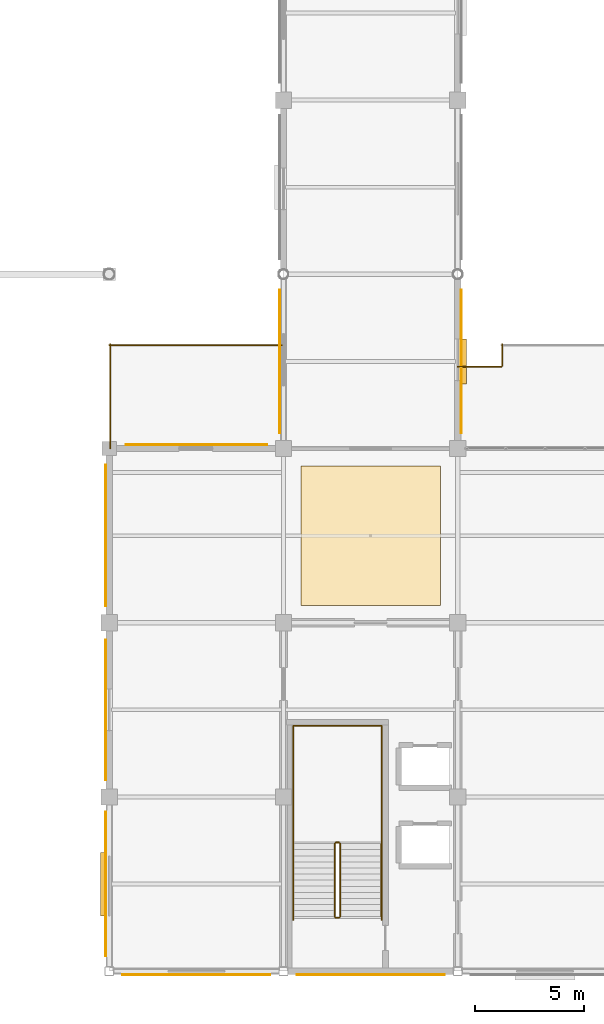
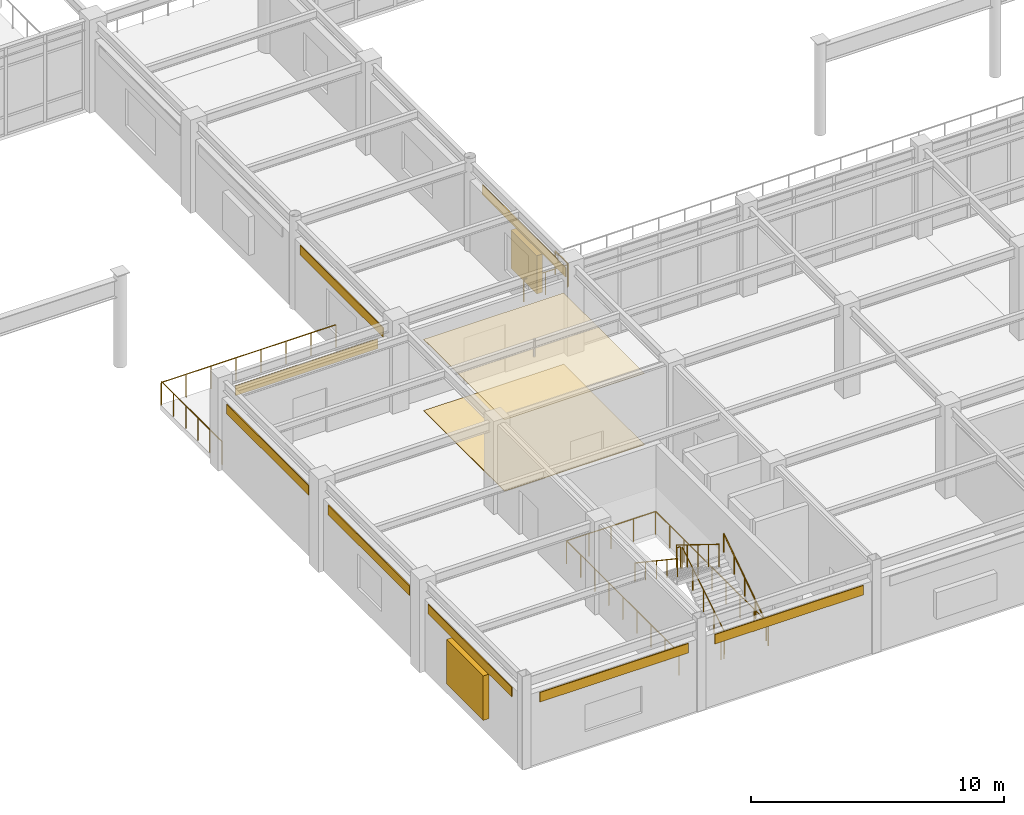
# One storey, part 72 of 78: 13 railings, 10 coverings, 2 shading devices.
"""IFC4 building model written with IfcOpenShell, lengths in metres."""

import ifcopenshell
import ifcopenshell.guid

model = None  # the IFC model being written
_history = None  # IfcOwnerHistory: only IFC2X3 demands one
_inside = {}  # id of a spatial element -> (the spatial element, [elements in it])
_under = {}  # id of a project, library or spatial element -> (it, [spatial elements below it])
_declared = {}  # id of a project -> (the project, [libraries it declares])
_typed = {}  # id of a type object -> (the type object, [elements of that type])
_made_of = {}  # id of a material, layer set ... -> (it, [elements and type objects made of it])


def new_model(schema):
    """Start an empty IFC model of exactly this schema.

    Asked for "IFC4X3", IfcOpenShell would pick the latest addendum, in which some entities
    have other attributes; the version numbers below select the first issue.
    IFC2X3 requires an IfcOwnerHistory on every rooted entity: one is made here for all.
    """
    global model, _history
    if schema == "IFC4X3":
        model = ifcopenshell.file(schema_version=(4, 3, 0, 0))
    else:
        model = ifcopenshell.file(schema=schema)
    _inside.clear()
    _under.clear()
    _declared.clear()
    _typed.clear()
    _made_of.clear()
    _history = None
    if model.schema == "IFC2X3":
        org = make("IfcOrganization", Name="unknown")
        user = make(
            "IfcPersonAndOrganization",
            ThePerson=make("IfcPerson", FamilyName="unknown"),
            TheOrganization=org,
        )
        app = make(
            "IfcApplication",
            ApplicationDeveloper=org,
            Version="unknown",
            ApplicationFullName="unknown",
            ApplicationIdentifier="unknown",
        )
        _history = make(
            "IfcOwnerHistory",
            OwningUser=user,
            OwningApplication=app,
            ChangeAction="ADDED",
            CreationDate=0,
        )
    return model


def make(cls, **values):
    """One entity of the class cls with the attributes given. An attribute that is None is left unset."""
    return model.create_entity(
        cls, **{name: value for name, value in values.items() if value is not None}
    )


def rooted(cls, **values):
    """An entity with a GlobalId (a new one), such as an element, a storey or a relation."""
    return make(cls, GlobalId=ifcopenshell.guid.new(), OwnerHistory=_history, **values)


def si_unit(unit_type, name, prefix=None):
    """IfcSIUnit, for example si_unit("LENGTHUNIT", "METRE", prefix="MILLI")."""
    return make("IfcSIUnit", UnitType=unit_type, Prefix=prefix, Name=name)


def assignment(units):
    """IfcUnitAssignment: the units of a project."""
    return None if units is None else make("IfcUnitAssignment", Units=units)


def point(xyz):
    """IfcCartesianPoint."""
    return None if xyz is None else make("IfcCartesianPoint", Coordinates=xyz)


def direction(xyz):
    """IfcDirection."""
    return None if xyz is None else make("IfcDirection", DirectionRatios=xyz)


def frame(location, z_axis=None, x_axis=None):
    """IfcAxis2Placement3D, a coordinate frame: its origin and axes. An axis left out is left unset."""
    return make(
        "IfcAxis2Placement3D",
        Location=point(location),
        Axis=direction(z_axis),
        RefDirection=direction(x_axis),
    )


def frame_2d(location, x_axis=None):
    """IfcAxis2Placement2D, a coordinate frame in the plane: its origin and x axis."""
    return make(
        "IfcAxis2Placement2D", Location=point(location), RefDirection=direction(x_axis)
    )


def origin():
    """The frame at (0, 0, 0) with its axes left unset."""
    return frame((0.0, 0.0, 0.0))


def origin_2d():
    """The frame at (0, 0) in the plane with its x axis left unset."""
    return frame_2d((0.0, 0.0))


def place(relative_to, where):
    """IfcLocalPlacement: puts the frame where relative to a parent placement (None: the world)."""
    return make(
        "IfcLocalPlacement", PlacementRelTo=relative_to, RelativePlacement=where
    )


def context(
    kind, dimensions, precision=None, world=None, true_north=None, identifier=None
):
    """IfcGeometricRepresentationContext, for example the 3D "Model" context."""
    return make(
        "IfcGeometricRepresentationContext",
        ContextIdentifier=identifier,
        ContextType=kind,
        CoordinateSpaceDimension=dimensions,
        Precision=precision,
        WorldCoordinateSystem=world,
        TrueNorth=true_north,
    )


def subcontext(parent, identifier, kind, view, scale=None):
    """IfcGeometricRepresentationSubContext, for example "Body" below "Model"."""
    return make(
        "IfcGeometricRepresentationSubContext",
        ContextIdentifier=identifier,
        ContextType=kind,
        ParentContext=parent,
        TargetScale=scale,
        TargetView=view,
    )


def project(units=None, contexts=None):
    """IfcProject with its units and contexts."""
    return rooted(
        "IfcProject",
        Name="project",
        RepresentationContexts=contexts,
        UnitsInContext=assignment(units),
    )


def spatial(cls, under=None, at=None, **own):
    """A site, building, storey or space (cls), placed at a placement, below another one or the project."""
    s = rooted(cls, ObjectPlacement=at, **own)
    if under is not None:
        _under.setdefault(under.id(), (under, []))[1].append(s)
    return s


def polyline(points):
    """IfcPolyline through the points."""
    return make("IfcPolyline", Points=[point(p) for p in points])


def profile(cls, at=None, kind="AREA", **sizes):
    """A parametric profile (cls). Its sizes go by their IFC names, for example OverallWidth=200.0."""
    return make(cls, ProfileType=kind, Position=at, **sizes)


def rectangle(**sizes):
    """IfcRectangleProfileDef."""
    return profile("IfcRectangleProfileDef", **sizes)


def circle(**sizes):
    """IfcCircleProfileDef."""
    return profile("IfcCircleProfileDef", **sizes)


def outline(outer, holes=None, kind="AREA"):
    """IfcArbitraryClosedProfileDef: a profile drawn as a closed curve; with holes, ...WithVoids."""
    if holes is None:
        return make("IfcArbitraryClosedProfileDef", ProfileType=kind, OuterCurve=outer)
    return make(
        "IfcArbitraryProfileDefWithVoids",
        ProfileType=kind,
        OuterCurve=outer,
        InnerCurves=holes,
    )


def extrude(swept, where, along, depth):
    """IfcExtrudedAreaSolid: the profile swept, set in the frame where, extruded along a direction by depth."""
    return make(
        "IfcExtrudedAreaSolid",
        SweptArea=swept,
        Position=where,
        ExtrudedDirection=direction(along),
        Depth=depth,
    )


def shape(context_of_items, identifier, shape_type, items):
    """IfcShapeRepresentation: the items that make up one representation, for example the "Body"."""
    return make(
        "IfcShapeRepresentation",
        ContextOfItems=context_of_items,
        RepresentationIdentifier=identifier,
        RepresentationType=shape_type,
        Items=items,
    )


def material(Name=None, Category=None):
    """IfcMaterial."""
    return make("IfcMaterial", Name=Name, Category=Category)


def layer(
    of_material, thickness, ventilated=None, Name=None, Category=None, Priority=None
):
    """IfcMaterialLayer: one layer of a wall or slab, of a material (None: an air gap)."""
    return make(
        "IfcMaterialLayer",
        Material=of_material,
        LayerThickness=thickness,
        IsVentilated=ventilated,
        Name=Name,
        Category=Category,
        Priority=Priority,
    )


def layer_set(layers, Name=None):
    """IfcMaterialLayerSet."""
    return make("IfcMaterialLayerSet", MaterialLayers=layers, LayerSetName=Name)


def made_of(thing, what):
    """Note that an element or type object is made of a material, layer set ...; save() writes the relation."""
    if what is not None:
        _made_of.setdefault(what.id(), (what, []))[1].append(thing)
    return thing


def type_object(cls, material=None, **own):
    """A type object (cls), such as IfcWallType, which elements share."""
    return made_of(rooted(cls, **own), material)


def element(
    cls,
    number,
    at=None,
    inside=None,
    cuts=None,
    type_object=None,
    material=None,
    context=None,
    identifier="Body",
    shape_type=None,
    held_by="IfcProductDefinitionShape",
    body=None,
    shapes=None,
    **own,
):
    """One element of the class cls, such as IfcWall. Its Tag is "e" and its number.

    at: its placement. inside: the storey or other place that contains it. cuts: it is an
    opening in that element (IfcRelVoidsElement). A single representation is given by context,
    identifier, shape_type and body (its items); several are given by shapes. held_by: the class
    of the entity that holds the representations. save() writes the other relations.
    """
    e = rooted(cls, Tag="e%d" % number, ObjectPlacement=at, **own)
    if body is not None:
        shapes = [shape(context, identifier, shape_type, body)]
    if shapes is not None:
        e.Representation = make(held_by, Representations=shapes)
    if inside is not None:
        _inside.setdefault(inside.id(), (inside, []))[1].append(e)
    if cuts is not None:
        rooted(
            "IfcRelVoidsElement", RelatingBuildingElement=cuts, RelatedOpeningElement=e
        )
    if type_object is not None:
        _typed.setdefault(type_object.id(), (type_object, []))[1].append(e)
    return made_of(e, material)


def aggregate(whole, parts):
    """IfcRelAggregates: a whole, such as a stair, and the parts it consists of."""
    return rooted("IfcRelAggregates", RelatingObject=whole, RelatedObjects=parts)


def save(model, path):
    """Write the relations noted so far, then the file.

    IfcRelAggregates (storeys below a building ...), IfcRelContainedInSpatialStructure (elements
    in a storey), IfcRelDefinesByType, IfcRelAssociatesMaterial and IfcRelDeclares: one each for
    every whole, place, type object, material and project.
    """
    for whole, parts in _under.values():
        aggregate(whole, parts)
    for where, things in _inside.values():
        rooted(
            "IfcRelContainedInSpatialStructure",
            RelatedElements=things,
            RelatingStructure=where,
        )
    for kind, things in _typed.values():
        rooted("IfcRelDefinesByType", RelatedObjects=things, RelatingType=kind)
    for what, things in _made_of.values():
        rooted("IfcRelAssociatesMaterial", RelatedObjects=things, RelatingMaterial=what)
    for by, libraries in _declared.values():
        rooted("IfcRelDeclares", RelatingContext=by, RelatedDefinitions=libraries)
    model.write(path)


model = new_model("IFC4")

# Units and contexts
model_context = context("Model", 3, precision=1e-05, world=origin(), true_north=direction((0.0, 1.0)))
body_context = subcontext(model_context, "Body", "Model", "MODEL_VIEW")
ifc_project = project(units=[si_unit("LENGTHUNIT", "METRE"), si_unit("AREAUNIT", "SQUARE_METRE"), si_unit("VOLUMEUNIT", "CUBIC_METRE"), si_unit("PLANEANGLEUNIT", "RADIAN"), si_unit("MASSUNIT", "GRAM", prefix="KILO")], contexts=[model_context])

# Site, building, storey
site_placement = place(None, origin())
site = spatial("IfcSite", under=ifc_project, at=site_placement, CompositionType="ELEMENT")
building_placement = place(site_placement, origin())
building = spatial("IfcBuilding", under=site, at=building_placement, Name="Solmirada Galleria", CompositionType="ELEMENT")
storey_placement = place(building_placement, frame((0.0, 0.0, 23.89990234375)))
storey = spatial("IfcBuildingStorey", under=building, at=storey_placement, Name="L05", CompositionType="ELEMENT", Elevation=23.89990234375)

# Coverings
ifc_material_1 = material(Name="Perforated acoustic mineral-fibre ceiling")
ifc_layer_1 = layer(ifc_material_1, 0.02490234375)
ifc_layer_set_1 = layer_set([ifc_layer_1], Name="Perforated acoustic mineral-fibre ceiling")
covering_type_1 = type_object("IfcCoveringType", Name="COV-CEIL-ACOUST", PredefinedType="CEILING", material=ifc_layer_set_1)
covering_1_placement = place(storey_placement, frame((0.0, 0.0, 3.4501953125)))
element("IfcCovering", 1, at=covering_1_placement, inside=storey, type_object=covering_type_1, Name="Acoustic ceiling panel L05-2", PredefinedType="CEILING", context=body_context, shape_type="SweptSolid", body=[
    extrude(outline(polyline([(88.800048828125, 16.800048828125), (95.199951171875, 16.800048828125), (95.199951171875, 23.199951171875), (88.800048828125, 23.199951171875), (88.800048828125, 16.800048828125)])), origin(), (0.0, 0.0, 1.0), 0.02490234375),
])
ifc_material_2 = material(Name="Limestone cladding panels", Category="masonry")
ifc_layer_2 = layer(ifc_material_2, 0.044921875)
ifc_layer_set_2 = layer_set([ifc_layer_2], Name="Limestone cladding panels")
covering_type_2 = type_object("IfcCoveringType", Name="COV-CLAD-LIME", PredefinedType="CLADDING", material=ifc_layer_set_2)
covering_2_placement = place(storey_placement, frame((84.0, -0.16748046875, 2.990234375), z_axis=(0.0, 0.0, 1.0), x_axis=(-1.0, 0.0, 0.0)))
element("IfcCovering", 2, at=covering_2_placement, inside=storey, type_object=covering_type_2, Name="Postmodern facade cladding L05-348", PredefinedType="CLADDING", context=body_context, shape_type="SweptSolid", body=[
    extrude(rectangle(XDim=6.7939453125, YDim=0.044921875, at=origin_2d()), origin(), (0.0, 0.0, 1.0), 0.4599609375),
])
covering_3_placement = place(storey_placement, frame((79.83251953125, 12.0, 2.990234375), z_axis=(0.0, 0.0, 1.0), x_axis=(0.0, 1.0, 0.0)))
element("IfcCovering", 3, at=covering_3_placement, inside=storey, type_object=covering_type_2, Name="Postmodern facade cladding L05-350", PredefinedType="CLADDING", context=body_context, shape_type="SweptSolid", body=[
    extrude(rectangle(XDim=6.449951171875, YDim=0.044921875, at=origin_2d()), origin(), (0.0, 0.0, 1.0), 0.4599609375),
])
covering_4_placement = place(storey_placement, frame((84.0, 24.16748046875, 2.990234375), z_axis=(0.0, 0.0, 1.0), x_axis=(1.0, 0.0, 0.0)))
element("IfcCovering", 4, at=covering_4_placement, inside=storey, type_object=covering_type_2, Name="Postmodern facade cladding L05-352", PredefinedType="CLADDING", context=body_context, shape_type="SweptSolid", body=[
    extrude(rectangle(XDim=6.5, YDim=0.044921875, at=origin_2d()), origin(), (0.0, 0.0, 1.0), 0.4599609375),
])
ifc_material_3 = material(Name="Glazed terracotta facade panels", Category="masonry")
ifc_layer_3 = layer(ifc_material_3, 0.0400390625)
ifc_layer_set_3 = layer_set([ifc_layer_3], Name="Glazed terracotta facade panels")
covering_type_3 = type_object("IfcCoveringType", Name="COV-CLAD-TERRA", PredefinedType="CLADDING", material=ifc_layer_set_3)
for number, where, z_axis, x_axis, name in (
    (5, (87.8349609375, 28.0, 2.990234375), (0.0, 0.0, 1.0), (0.0, 1.0, 0.0), "Postmodern facade cladding L05-309"),
    (6, (96.1650390625, 28.0, 2.990234375), (0.0, 0.0, 1.0), (0.0, -1.0, 0.0), "Postmodern facade cladding L05-337"),
):
    element("IfcCovering", number, at=place(storey_placement, frame(where, z_axis=z_axis, x_axis=x_axis)), inside=storey, type_object=covering_type_3, Name=name, PredefinedType="CLADDING", context=body_context, shape_type="SweptSolid", body=[
        extrude(rectangle(XDim=6.596435546875, YDim=0.0400390625, at=origin_2d()), origin(), (0.0, 0.0, 1.0), 0.4599609375),
    ])
covering_5_placement = place(storey_placement, frame((92.0, -0.1650390625, 2.990234375), z_axis=(0.0, 0.0, 1.0), x_axis=(-1.0, 0.0, 0.0)))
element("IfcCovering", 7, at=covering_5_placement, inside=storey, type_object=covering_type_3, Name="Postmodern facade cladding L05-347", PredefinedType="CLADDING", context=body_context, shape_type="SweptSolid", body=[
    extrude(rectangle(XDim=6.7939453125, YDim=0.0400390625, at=origin_2d()), origin(), (0.0, 0.0, 1.0), 0.4599609375),
])
covering_6_placement = place(storey_placement, frame((79.8349609375, 4.0, 2.990234375), z_axis=(0.0, 0.0, 1.0), x_axis=(0.0, 1.0, 0.0)))
element("IfcCovering", 8, at=covering_6_placement, inside=storey, type_object=covering_type_3, Name="Postmodern facade cladding L05-349", PredefinedType="CLADDING", context=body_context, shape_type="SweptSolid", body=[
    extrude(rectangle(XDim=6.6220703125, YDim=0.0400390625, at=origin_2d()), origin(), (0.0, 0.0, 1.0), 0.4599609375),
])
covering_7_placement = place(storey_placement, frame((79.8349609375, 20.0, 2.990234375), z_axis=(0.0, 0.0, 1.0), x_axis=(0.0, 1.0, 0.0)))
element("IfcCovering", 9, at=covering_7_placement, inside=storey, type_object=covering_type_3, Name="Postmodern facade cladding L05-351", PredefinedType="CLADDING", context=body_context, shape_type="SweptSolid", body=[
    extrude(rectangle(XDim=6.5, YDim=0.0400390625, at=origin_2d()), origin(), (0.0, 0.0, 1.0), 0.4599609375),
])
ifc_material_4 = material(Name="Polished terrazzo and porcelain tile flooring")
ifc_layer_4 = layer(ifc_material_4, 0.030029296875)
ifc_layer_set_4 = layer_set([ifc_layer_4], Name="Polished terrazzo and porcelain tile flooring")
covering_type_4 = type_object("IfcCoveringType", Name="COV-FLOOR-TERRAZ", PredefinedType="FLOORING", material=ifc_layer_set_4)
covering_8_placement = place(storey_placement, origin())
element("IfcCovering", 10, at=covering_8_placement, inside=storey, type_object=covering_type_4, Name="Terrazzo floor finish L05-2", PredefinedType="FLOORING", context=body_context, shape_type="SweptSolid", body=[
    extrude(outline(polyline([(88.800048828125, 16.800048828125), (95.199951171875, 16.800048828125), (95.199951171875, 23.199951171875), (88.800048828125, 23.199951171875), (88.800048828125, 16.800048828125)])), origin(), (0.0, 0.0, 1.0), 0.030029296875),
])

# Railings
ifc_material_5 = material(Name="Painted steel tubular railing", Category="steel")
railing_type_1 = type_object("IfcRailingType", Name="RAIL-STAIR-GUARD", PredefinedType="GUARDRAIL", material=ifc_material_5)
railing_1_placement = place(storey_placement, frame((90.60009765625, 2.5, 0.173095703125)))
element("IfcRailing", 11, at=railing_1_placement, inside=storey, type_object=railing_type_1, Name="L05 ST2 stair guard 1", PredefinedType="GUARDRAIL", context=body_context, shape_type="SweptSolid", body=[
    extrude(circle(Radius=0.02392578125, at=origin_2d()), frame((0.0, 0.0, 1.076171875), z_axis=(0.0, 0.850623216509, 0.525775754039), x_axis=(-1.0, 0.0, 0.0)), (0.0, 0.0, 1.0), 3.9501953125),
    extrude(circle(Radius=0.02099609375, at=origin_2d()), origin(), (0.0, 0.0, 1.0), 1.048095703125),
    extrude(circle(Radius=0.02099609375, at=origin_2d()), frame((0.0, 0.840087890625, 0.519287109375)), (0.0, 0.0, 1.0), 1.048095703125),
    extrude(circle(Radius=0.02099609375, at=origin_2d()), frame((0.0, 1.68017578125, 1.03857421875)), (0.0, 0.0, 1.0), 1.048095703125),
    extrude(circle(Radius=0.02099609375, at=origin_2d()), frame((0.0, 2.52001953125, 1.5576171875)), (0.0, 0.0, 1.0), 1.048095703125),
    extrude(circle(Radius=0.02099609375, at=origin_2d()), frame((0.0, 3.360107421875, 2.076904296875)), (0.0, 0.0, 1.0), 1.048095703125),
])
railing_2_placement = place(storey_placement, frame((90.550048828125, 5.909912109375, 2.25)))
element("IfcRailing", 12, at=railing_2_placement, inside=storey, type_object=railing_type_1, Name="L05 ST2 stair guard 2", PredefinedType="GUARDRAIL", context=body_context, shape_type="SweptSolid", body=[
    extrude(circle(Radius=0.02392578125, at=origin_2d()), frame((0.0, 0.0, 1.076171875), z_axis=(-1.0, 0.0, 0.0), x_axis=(0.0, -1.0, 0.0)), (0.0, 0.0, 1.0), 0.150146484375),
    extrude(circle(Radius=0.02099609375, at=origin_2d()), origin(), (0.0, 0.0, 1.0), 1.048095703125),
    extrude(circle(Radius=0.02099609375, at=origin_2d()), frame((-0.150146484375, 0.0, 0.0)), (0.0, 0.0, 1.0), 1.048095703125),
])
railing_3_placement = place(storey_placement, frame((90.35009765625, 5.860107421875, 2.423095703125)))
element("IfcRailing", 13, at=railing_3_placement, inside=storey, type_object=railing_type_1, Name="L05 ST2 stair guard 3", PredefinedType="GUARDRAIL", context=body_context, shape_type="SweptSolid", body=[
    extrude(circle(Radius=0.02392578125, at=origin_2d()), frame((0.0, 0.0, 1.076171875), z_axis=(0.0, -0.850623216509, 0.525775754039), x_axis=(1.0, 0.0, 0.0)), (0.0, 0.0, 1.0), 3.9501953125),
    extrude(circle(Radius=0.02099609375, at=origin_2d()), origin(), (0.0, 0.0, 1.0), 1.048095703125),
    extrude(circle(Radius=0.02099609375, at=origin_2d()), frame((0.0, -0.840087890625, 0.519287109375)), (0.0, 0.0, 1.0), 1.048095703125),
    extrude(circle(Radius=0.02099609375, at=origin_2d()), frame((0.0, -1.68017578125, 1.03857421875)), (0.0, 0.0, 1.0), 1.048095703125),
    extrude(circle(Radius=0.02099609375, at=origin_2d()), frame((0.0, -2.52001953125, 1.5576171875)), (0.0, 0.0, 1.0), 1.048095703125),
    extrude(circle(Radius=0.02099609375, at=origin_2d()), frame((0.0, -3.360107421875, 2.076904296875)), (0.0, 0.0, 1.0), 1.048095703125),
])
railing_4_placement = place(storey_placement, frame((90.550048828125, 2.449951171875, 0.0)))
element("IfcRailing", 14, at=railing_4_placement, inside=storey, type_object=railing_type_1, Name="L05 ST2 stair guard 4", PredefinedType="GUARDRAIL", context=body_context, shape_type="SweptSolid", body=[
    extrude(circle(Radius=0.02392578125, at=origin_2d()), frame((0.0, 0.0, 1.076171875), z_axis=(-1.0, 0.0, 0.0), x_axis=(0.0, -1.0, 0.0)), (0.0, 0.0, 1.0), 0.150146484375),
    extrude(circle(Radius=0.02099609375, at=origin_2d()), origin(), (0.0, 0.0, 1.0), 1.048095703125),
    extrude(circle(Radius=0.02099609375, at=origin_2d()), frame((-0.150146484375, 0.0, 0.0)), (0.0, 0.0, 1.0), 1.048095703125),
])
railing_5_placement = place(storey_placement, frame((88.43994140625, 2.35009765625, 0.0)))
element("IfcRailing", 15, at=railing_5_placement, inside=storey, type_object=railing_type_1, Name="Stair ST2 well edge guard L05-1", PredefinedType="GUARDRAIL", context=body_context, shape_type="SweptSolid", body=[
    extrude(circle(Radius=0.02392578125, at=origin_2d()), frame((0.0, 0.0, 1.09619140625), z_axis=(0.0, 1.0, 0.0), x_axis=(-1.0, 0.0, 0.0)), (0.0, 0.0, 1.0), 8.909912109375),
    extrude(circle(Radius=0.02099609375, at=origin_2d()), origin(), (0.0, 0.0, 1.0), 1.068115234375),
    extrude(circle(Radius=0.02099609375, at=origin_2d()), frame((0.0, 1.11376953125, 0.0)), (0.0, 0.0, 1.0), 1.068115234375),
    extrude(circle(Radius=0.02099609375, at=origin_2d()), frame((0.0, 2.2275390625, 0.0)), (0.0, 0.0, 1.0), 1.068115234375),
    extrude(circle(Radius=0.02099609375, at=origin_2d()), frame((0.0, 3.34130859375, 0.0)), (0.0, 0.0, 1.0), 1.068115234375),
    extrude(circle(Radius=0.02099609375, at=origin_2d()), frame((0.0, 4.455078125, 0.0)), (0.0, 0.0, 1.0), 1.068115234375),
    extrude(circle(Radius=0.02099609375, at=origin_2d()), frame((0.0, 5.568603515625, 0.0)), (0.0, 0.0, 1.0), 1.068115234375),
    extrude(circle(Radius=0.02099609375, at=origin_2d()), frame((0.0, 6.682373046875, 0.0)), (0.0, 0.0, 1.0), 1.068115234375),
    extrude(circle(Radius=0.02099609375, at=origin_2d()), frame((0.0, 7.796142578125, 0.0)), (0.0, 0.0, 1.0), 1.068115234375),
    extrude(circle(Radius=0.02099609375, at=origin_2d()), frame((0.0, 8.909912109375, 0.0)), (0.0, 0.0, 1.0), 1.068115234375),
])
railing_6_placement = place(storey_placement, frame((88.43994140625, 11.260009765625, 0.0)))
element("IfcRailing", 16, at=railing_6_placement, inside=storey, type_object=railing_type_1, Name="Stair ST2 well edge guard L05-2", PredefinedType="GUARDRAIL", context=body_context, shape_type="SweptSolid", body=[
    extrude(circle(Radius=0.02392578125, at=origin_2d()), frame((0.0, 0.0, 1.09619140625), z_axis=(1.0, 0.0, 0.0), x_axis=(0.0, 1.0, 0.0)), (0.0, 0.0, 1.0), 4.070068359375),
    extrude(circle(Radius=0.02099609375, at=origin_2d()), origin(), (0.0, 0.0, 1.0), 1.068115234375),
    extrude(circle(Radius=0.02099609375, at=origin_2d()), frame((1.017578125, 0.0, 0.0)), (0.0, 0.0, 1.0), 1.068115234375),
    extrude(circle(Radius=0.02099609375, at=origin_2d()), frame((2.03515625, 0.0, 0.0)), (0.0, 0.0, 1.0), 1.068115234375),
    extrude(circle(Radius=0.02099609375, at=origin_2d()), frame((3.052490234375, 0.0, 0.0)), (0.0, 0.0, 1.0), 1.068115234375),
    extrude(circle(Radius=0.02099609375, at=origin_2d()), frame((4.070068359375, 0.0, 0.0)), (0.0, 0.0, 1.0), 1.068115234375),
])
railing_7_placement = place(storey_placement, frame((92.510009765625, 11.260009765625, 0.0)))
element("IfcRailing", 17, at=railing_7_placement, inside=storey, type_object=railing_type_1, Name="Stair ST2 well edge guard L05-3", PredefinedType="GUARDRAIL", context=body_context, shape_type="SweptSolid", body=[
    extrude(circle(Radius=0.02392578125, at=origin_2d()), frame((0.0, 0.0, 1.09619140625), z_axis=(0.0, -1.0, 0.0), x_axis=(1.0, 0.0, 0.0)), (0.0, 0.0, 1.0), 8.909912109375),
    extrude(circle(Radius=0.02099609375, at=origin_2d()), origin(), (0.0, 0.0, 1.0), 1.068115234375),
    extrude(circle(Radius=0.02099609375, at=origin_2d()), frame((0.0, -1.11376953125, 0.0)), (0.0, 0.0, 1.0), 1.068115234375),
    extrude(circle(Radius=0.02099609375, at=origin_2d()), frame((0.0, -2.2275390625, 0.0)), (0.0, 0.0, 1.0), 1.068115234375),
    extrude(circle(Radius=0.02099609375, at=origin_2d()), frame((0.0, -3.34130859375, 0.0)), (0.0, 0.0, 1.0), 1.068115234375),
    extrude(circle(Radius=0.02099609375, at=origin_2d()), frame((0.0, -4.455078125, 0.0)), (0.0, 0.0, 1.0), 1.068115234375),
    extrude(circle(Radius=0.02099609375, at=origin_2d()), frame((0.0, -5.568603515625, 0.0)), (0.0, 0.0, 1.0), 1.068115234375),
    extrude(circle(Radius=0.02099609375, at=origin_2d()), frame((0.0, -6.682373046875, 0.0)), (0.0, 0.0, 1.0), 1.068115234375),
    extrude(circle(Radius=0.02099609375, at=origin_2d()), frame((0.0, -7.796142578125, 0.0)), (0.0, 0.0, 1.0), 1.068115234375),
    extrude(circle(Radius=0.02099609375, at=origin_2d()), frame((0.0, -8.909912109375, 0.0)), (0.0, 0.0, 1.0), 1.068115234375),
])
railing_type_2 = type_object("IfcRailingType", Name="RAIL-STAIR-HAND", PredefinedType="HANDRAIL", material=ifc_material_5)
railing_8_placement = place(storey_placement, frame((92.5, 2.5, 0.173095703125)))
element("IfcRailing", 18, at=railing_8_placement, inside=storey, type_object=railing_type_2, Name="L05 ST2 stair handrail 1", PredefinedType="HANDRAIL", context=body_context, shape_type="SweptSolid", body=[
    extrude(circle(Radius=0.02392578125, at=origin_2d()), frame((0.0, 0.0, 0.8759765625), z_axis=(0.0, 0.830915400975, 0.556398774641), x_axis=(-1.0, 0.0, 0.0)), (0.0, 0.0, 1.0), 4.0439453125),
    extrude(circle(Radius=0.02099609375, at=origin_2d()), origin(), (0.0, 0.0, 1.0), 0.847900390625),
    extrude(circle(Radius=0.02099609375, at=origin_2d()), frame((0.0, 0.840087890625, 0.5625)), (0.0, 0.0, 1.0), 0.847900390625),
    extrude(circle(Radius=0.02099609375, at=origin_2d()), frame((0.0, 1.68017578125, 1.125)), (0.0, 0.0, 1.0), 0.847900390625),
    extrude(circle(Radius=0.02099609375, at=origin_2d()), frame((0.0, 2.52001953125, 1.6875)), (0.0, 0.0, 1.0), 0.847900390625),
    extrude(circle(Radius=0.02099609375, at=origin_2d()), frame((0.0, 3.360107421875, 2.25)), (0.0, 0.0, 1.0), 0.847900390625),
])
railing_9_placement = place(storey_placement, frame((88.449951171875, 5.860107421875, 2.423095703125)))
element("IfcRailing", 19, at=railing_9_placement, inside=storey, type_object=railing_type_2, Name="L05 ST2 stair handrail 2", PredefinedType="HANDRAIL", context=body_context, shape_type="SweptSolid", body=[
    extrude(circle(Radius=0.02392578125, at=origin_2d()), frame((0.0, 0.0, 0.8759765625), z_axis=(0.0, -0.830915400975, 0.556398774641), x_axis=(1.0, 0.0, 0.0)), (0.0, 0.0, 1.0), 4.0439453125),
    extrude(circle(Radius=0.02099609375, at=origin_2d()), origin(), (0.0, 0.0, 1.0), 0.847900390625),
    extrude(circle(Radius=0.02099609375, at=origin_2d()), frame((0.0, -0.840087890625, 0.5625)), (0.0, 0.0, 1.0), 0.847900390625),
    extrude(circle(Radius=0.02099609375, at=origin_2d()), frame((0.0, -1.68017578125, 1.125)), (0.0, 0.0, 1.0), 0.847900390625),
    extrude(circle(Radius=0.02099609375, at=origin_2d()), frame((0.0, -2.52001953125, 1.6875)), (0.0, 0.0, 1.0), 0.847900390625),
    extrude(circle(Radius=0.02099609375, at=origin_2d()), frame((0.0, -3.360107421875, 2.25)), (0.0, 0.0, 1.0), 0.847900390625),
])
ifc_material_6 = material(Name="Painted galvanized steel balustrade", Category="steel")
railing_type_3 = type_object("IfcRailingType", Name="RAIL-TERR-1100", PredefinedType="GUARDRAIL", material=ifc_material_6)
railing_10_placement = place(storey_placement, frame((88.0, 28.75, 0.0)))
element("IfcRailing", 20, at=railing_10_placement, inside=storey, type_object=railing_type_3, Name="Terrace guardrail L05-TERR-SW E3.1", PredefinedType="GUARDRAIL", context=body_context, shape_type="SweptSolid", body=[
    extrude(circle(Radius=0.02392578125, at=origin_2d()), frame((0.0, 0.0, 1.09619140625), z_axis=(-1.0, 0.0, 0.0), x_axis=(0.0, -1.0, 0.0)), (0.0, 0.0, 1.0), 8.0),
    extrude(circle(Radius=0.02099609375, at=origin_2d()), origin(), (0.0, 0.0, 1.0), 1.068115234375),
    extrude(circle(Radius=0.02099609375, at=origin_2d()), frame((-1.142822265625, 0.0, 0.0)), (0.0, 0.0, 1.0), 1.068115234375),
    extrude(circle(Radius=0.02099609375, at=origin_2d()), frame((-2.28564453125, 0.0, 0.0)), (0.0, 0.0, 1.0), 1.068115234375),
    extrude(circle(Radius=0.02099609375, at=origin_2d()), frame((-3.428466796875, 0.0, 0.0)), (0.0, 0.0, 1.0), 1.068115234375),
    extrude(circle(Radius=0.02099609375, at=origin_2d()), frame((-4.571533203125, 0.0, 0.0)), (0.0, 0.0, 1.0), 1.068115234375),
    extrude(circle(Radius=0.02099609375, at=origin_2d()), frame((-5.71435546875, 0.0, 0.0)), (0.0, 0.0, 1.0), 1.068115234375),
    extrude(circle(Radius=0.02099609375, at=origin_2d()), frame((-6.857177734375, 0.0, 0.0)), (0.0, 0.0, 1.0), 1.068115234375),
    extrude(circle(Radius=0.02099609375, at=origin_2d()), frame((-8.0, 0.0, 0.0)), (0.0, 0.0, 1.0), 1.068115234375),
])
railing_11_placement = place(storey_placement, frame((80.050048828125, 28.800048828125, 0.0)))
element("IfcRailing", 21, at=railing_11_placement, inside=storey, type_object=railing_type_3, Name="Terrace guardrail L05-TERR-SW E4.1", PredefinedType="GUARDRAIL", context=body_context, shape_type="SweptSolid", body=[
    extrude(circle(Radius=0.02392578125, at=origin_2d()), frame((0.0, 0.0, 1.09619140625), z_axis=(0.0, -1.0, 0.0), x_axis=(1.0, 0.0, 0.0)), (0.0, 0.0, 1.0), 4.800048828125),
    extrude(circle(Radius=0.02099609375, at=origin_2d()), origin(), (0.0, 0.0, 1.0), 1.068115234375),
    extrude(circle(Radius=0.02099609375, at=origin_2d()), frame((0.0, -0.9599609375, 0.0)), (0.0, 0.0, 1.0), 1.068115234375),
    extrude(circle(Radius=0.02099609375, at=origin_2d()), frame((0.0, -1.919921875, 0.0)), (0.0, 0.0, 1.0), 1.068115234375),
    extrude(circle(Radius=0.02099609375, at=origin_2d()), frame((0.0, -2.880126953125, 0.0)), (0.0, 0.0, 1.0), 1.068115234375),
    extrude(circle(Radius=0.02099609375, at=origin_2d()), frame((0.0, -3.840087890625, 0.0)), (0.0, 0.0, 1.0), 1.068115234375),
    extrude(circle(Radius=0.02099609375, at=origin_2d()), frame((0.0, -4.800048828125, 0.0)), (0.0, 0.0, 1.0), 1.068115234375),
])
railing_12_placement = place(storey_placement, frame((98.050048828125, 28.800048828125, 0.0)))
element("IfcRailing", 22, at=railing_12_placement, inside=storey, type_object=railing_type_3, Name="Terrace guardrail L05-TERR-SE E6.1", PredefinedType="GUARDRAIL", context=body_context, shape_type="SweptSolid", body=[
    extrude(circle(Radius=0.02392578125, at=origin_2d()), frame((0.0, 0.0, 1.09619140625), z_axis=(0.0, -1.0, 0.0), x_axis=(1.0, 0.0, 0.0)), (0.0, 0.0, 1.0), 1.0),
    extrude(circle(Radius=0.02099609375, at=origin_2d()), origin(), (0.0, 0.0, 1.0), 1.068115234375),
    extrude(circle(Radius=0.02099609375, at=origin_2d()), frame((0.0, -1.0, 0.0)), (0.0, 0.0, 1.0), 1.068115234375),
])
railing_13_placement = place(storey_placement, frame((98.0, 27.75, 0.0)))
element("IfcRailing", 23, at=railing_13_placement, inside=storey, type_object=railing_type_3, Name="Terrace guardrail L05-TERR-SE E7.1", PredefinedType="GUARDRAIL", context=body_context, shape_type="SweptSolid", body=[
    extrude(circle(Radius=0.02392578125, at=origin_2d()), frame((0.0, 0.0, 1.09619140625), z_axis=(-1.0, 0.0, 0.0), x_axis=(0.0, -1.0, 0.0)), (0.0, 0.0, 1.0), 2.0),
    extrude(circle(Radius=0.02099609375, at=origin_2d()), origin(), (0.0, 0.0, 1.0), 1.068115234375),
    extrude(circle(Radius=0.02099609375, at=origin_2d()), frame((-1.0, 0.0, 0.0)), (0.0, 0.0, 1.0), 1.068115234375),
    extrude(circle(Radius=0.02099609375, at=origin_2d()), frame((-2.0, 0.0, 0.0)), (0.0, 0.0, 1.0), 1.068115234375),
])

# Shading devices
ifc_material_7 = material(Name="Extruded aluminium storm louvres", Category="aluminium")
shading_device_type = type_object("IfcShadingDeviceType", Name="SHD-JALOUSIE", PredefinedType="JALOUSIE", material=ifc_material_7)
shading_device_1_placement = place(storey_placement, frame((96.27490234375, 28.0, 0.800048828125), z_axis=(0.0, 0.0, 1.0), x_axis=(0.0, -1.0, 0.0)))
element("IfcShadingDevice", 24, at=shading_device_1_placement, inside=storey, type_object=shading_device_type, Name="Hurricane storm jalousie louvre 097", PredefinedType="JALOUSIE", context=body_context, shape_type="SweptSolid", body=[
    extrude(rectangle(XDim=2.06005859375, YDim=0.260009765625, at=origin_2d()), origin(), (0.0, 0.0, 1.0), 1.85009765625),
])
shading_device_2_placement = place(storey_placement, frame((79.72509765625, 4.0, 0.800048828125), z_axis=(0.0, 0.0, 1.0), x_axis=(0.0, 1.0, 0.0)))
element("IfcShadingDevice", 25, at=shading_device_2_placement, inside=storey, type_object=shading_device_type, Name="Hurricane storm jalousie louvre 101", PredefinedType="JALOUSIE", context=body_context, shape_type="SweptSolid", body=[
    extrude(rectangle(XDim=2.909912109375, YDim=0.260009765625, at=origin_2d()), origin(), (0.0, 0.0, 1.0), 2.14990234375),
])

save(model, "model.ifc")
